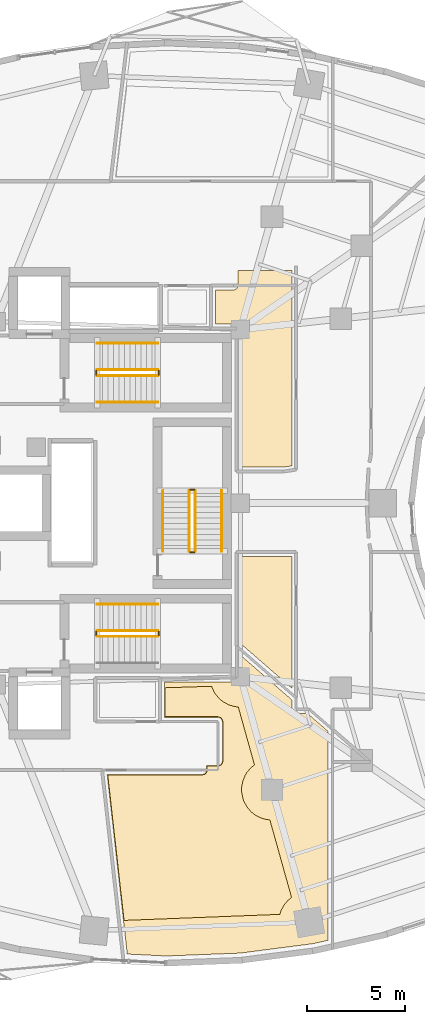
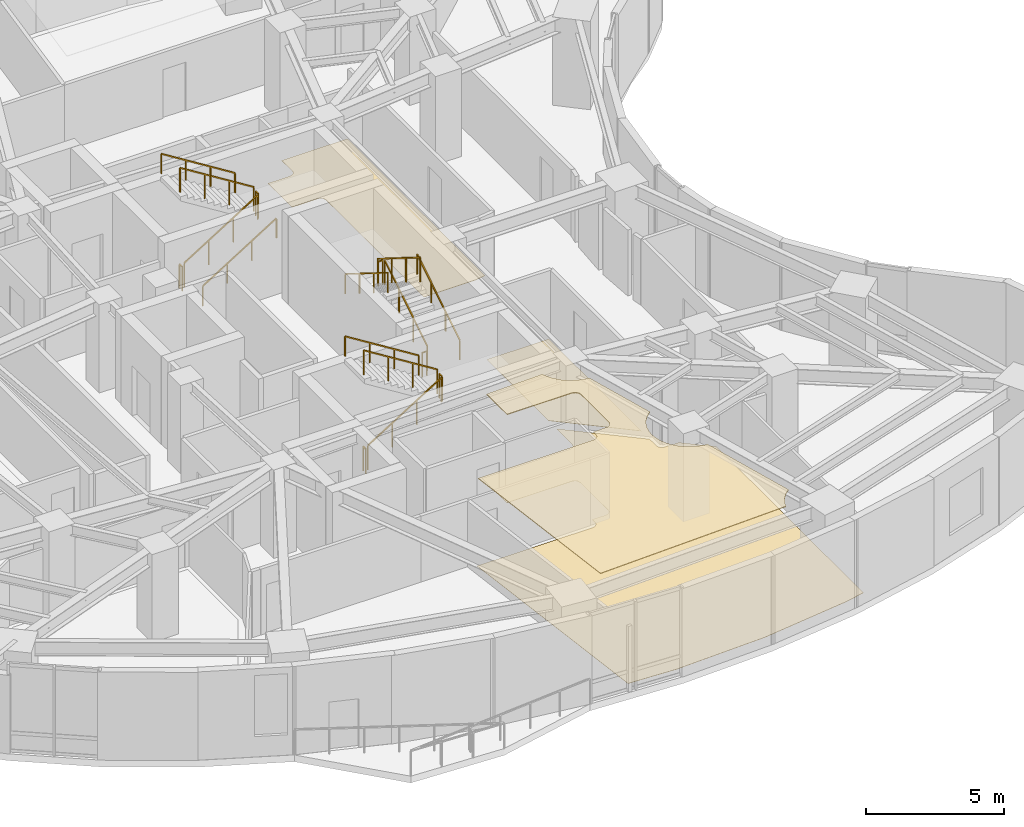
# One storey, part 14 of 15: 17 railings, 4 coverings.
"""IFC4 building model written with IfcOpenShell, lengths in metres."""

from ifc_helpers import new_model, si_unit, direction, frame, origin, origin_2d, place, context, subcontext, project, spatial, polyline, rectangle, outline, extrude, material, layer, layer_set, type_object, element, save


model = new_model("IFC4")

# Units and contexts
model_context = context("Model", 3, precision=1e-05, world=origin(), true_north=direction((0.0, 1.0)))
body_context = subcontext(model_context, "Body", "Model", "MODEL_VIEW")
ifc_project = project(units=[si_unit("LENGTHUNIT", "METRE"), si_unit("AREAUNIT", "SQUARE_METRE"), si_unit("VOLUMEUNIT", "CUBIC_METRE"), si_unit("PLANEANGLEUNIT", "RADIAN"), si_unit("MASSUNIT", "GRAM", prefix="KILO")], contexts=[model_context])

# Site, building, storey
site_placement = place(None, origin())
site = spatial("IfcSite", under=ifc_project, at=site_placement, CompositionType="ELEMENT")
building_placement = place(site_placement, origin())
building = spatial("IfcBuilding", under=site, at=building_placement, Name="Korentha Bioscience Tower", CompositionType="ELEMENT")
storey_placement = place(building_placement, frame((0.0, 0.0, 76.199951171875)))
storey = spatial("IfcBuildingStorey", under=building, at=storey_placement, Name="L17", CompositionType="ELEMENT", Elevation=76.199951171875)

# Railings
ifc_material_1 = material(Name="Stainless Steel 304", Category="steel")
railing_type_1 = type_object("IfcRailingType", Name="Brushed Stainless Stair Handrail 900", PredefinedType="HANDRAIL", material=ifc_material_1)
railing_1_placement = place(storey_placement, frame((30.25, 32.14990234375, 0.175048828125)))
element("IfcRailing", 1, at=railing_1_placement, inside=storey, type_object=railing_type_1, Name="L17 ST-1 stair handrail 1", PredefinedType="HANDRAIL", context=body_context, shape_type="SweptSolid", body=[
    extrude(rectangle(XDim=0.048095703125, YDim=0.048095703125, at=origin_2d()), frame((0.0, 0.0, 0.8759765625), z_axis=(0.847998304005, 0.0, 0.529998940003), x_axis=(0.0, 1.0, 0.0)), (0.0, 0.0, 1.0), 3.632080078125),
    extrude(rectangle(XDim=0.0419921875, YDim=0.0419921875, at=origin_2d()), origin(), (0.0, 0.0, 1.0), 0.851806640625),
    extrude(rectangle(XDim=0.0419921875, YDim=0.0419921875, at=origin_2d()), frame((1.026611328125, 0.0, 0.6416015625)), (0.0, 0.0, 1.0), 0.851806640625),
    extrude(rectangle(XDim=0.0419921875, YDim=0.0419921875, at=origin_2d()), frame((2.053466796875, 0.0, 1.283447265625)), (0.0, 0.0, 1.0), 0.851806640625),
    extrude(rectangle(XDim=0.0419921875, YDim=0.0419921875, at=origin_2d()), frame((3.080078125, 0.0, 1.925048828125)), (0.0, 0.0, 1.0), 0.851806640625),
])
for number, where, name in (
    (2, (33.330078125, 35.14990234375, 2.275146484375), "L17 ST-1 stair handrail 2"),
    (3, (33.330078125, 21.85009765625, 2.275146484375), "L17 ST-2 stair handrail 2"),
):
    element("IfcRailing", number, at=place(storey_placement, frame(where)), inside=storey, type_object=railing_type_1, Name=name, PredefinedType="HANDRAIL", context=body_context, shape_type="SweptSolid", body=[
        extrude(rectangle(XDim=0.048095703125, YDim=0.048095703125, at=origin_2d()), frame((0.0, 0.0, 0.8759765625), z_axis=(-0.848028513186, 0.0, 0.529950602248), x_axis=(0.0, -1.0, 0.0)), (0.0, 0.0, 1.0), 3.632080078125),
        extrude(rectangle(XDim=0.0419921875, YDim=0.0419921875, at=origin_2d()), origin(), (0.0, 0.0, 1.0), 0.851806640625),
        extrude(rectangle(XDim=0.0419921875, YDim=0.0419921875, at=origin_2d()), frame((-1.026611328125, 0.0, 0.6416015625)), (0.0, 0.0, 1.0), 0.851806640625),
        extrude(rectangle(XDim=0.0419921875, YDim=0.0419921875, at=origin_2d()), frame((-2.053466796875, 0.0, 1.283203125)), (0.0, 0.0, 1.0), 0.851806640625),
        extrude(rectangle(XDim=0.0419921875, YDim=0.0419921875, at=origin_2d()), frame((-3.080078125, 0.0, 1.9248046875)), (0.0, 0.0, 1.0), 0.851806640625),
    ])
railing_2_placement = place(storey_placement, frame((36.60009765625, 24.550048828125, 0.175048828125)))
element("IfcRailing", 4, at=railing_2_placement, inside=storey, type_object=railing_type_1, Name="L17 ST-3 stair handrail 1", PredefinedType="HANDRAIL", context=body_context, shape_type="SweptSolid", body=[
    extrude(rectangle(XDim=0.048095703125, YDim=0.048095703125, at=origin_2d()), frame((0.0, 0.0, 0.8759765625), z_axis=(0.0, 0.847979421464, 0.530029150871), x_axis=(-1.0, 0.0, 0.0)), (0.0, 0.0, 1.0), 3.632080078125),
    extrude(rectangle(XDim=0.0419921875, YDim=0.0419921875, at=origin_2d()), origin(), (0.0, 0.0, 1.0), 0.851806640625),
    extrude(rectangle(XDim=0.0419921875, YDim=0.0419921875, at=origin_2d()), frame((0.0, 1.026611328125, 0.6416015625)), (0.0, 0.0, 1.0), 0.851806640625),
    extrude(rectangle(XDim=0.0419921875, YDim=0.0419921875, at=origin_2d()), frame((0.0, 2.05322265625, 1.283447265625)), (0.0, 0.0, 1.0), 0.851806640625),
    extrude(rectangle(XDim=0.0419921875, YDim=0.0419921875, at=origin_2d()), frame((0.0, 3.079833984375, 1.925048828125)), (0.0, 0.0, 1.0), 0.851806640625),
])
railing_3_placement = place(storey_placement, frame((33.60009765625, 27.6298828125, 2.275146484375)))
element("IfcRailing", 5, at=railing_3_placement, inside=storey, type_object=railing_type_1, Name="L17 ST-3 stair handrail 2", PredefinedType="HANDRAIL", context=body_context, shape_type="SweptSolid", body=[
    extrude(rectangle(XDim=0.048095703125, YDim=0.048095703125, at=origin_2d()), frame((0.0, 0.0, 0.8759765625), z_axis=(0.0, -0.848009633417, 0.529980812513), x_axis=(1.0, 0.0, 0.0)), (0.0, 0.0, 1.0), 3.6318359375),
    extrude(rectangle(XDim=0.0419921875, YDim=0.0419921875, at=origin_2d()), origin(), (0.0, 0.0, 1.0), 0.851806640625),
    extrude(rectangle(XDim=0.0419921875, YDim=0.0419921875, at=origin_2d()), frame((0.0, -1.026611328125, 0.6416015625)), (0.0, 0.0, 1.0), 0.851806640625),
    extrude(rectangle(XDim=0.0419921875, YDim=0.0419921875, at=origin_2d()), frame((0.0, -2.05322265625, 1.283203125)), (0.0, 0.0, 1.0), 0.851806640625),
    extrude(rectangle(XDim=0.0419921875, YDim=0.0419921875, at=origin_2d()), frame((0.0, -3.079833984375, 1.9248046875)), (0.0, 0.0, 1.0), 0.851806640625),
])

# Covering
ifc_material_2 = material(Name="Antimicrobial Mineral Fibre Board", Category="gypsum")
ifc_layer_1 = layer(ifc_material_2, 0.034912109375, Name="Antimicrobial Mineral Fibre Board")
ifc_layer_set_1 = layer_set([ifc_layer_1], Name="Antimicrobial Mineral Fibre Board (CL-MF35)")
covering_type_1 = type_object("IfcCoveringType", Name="Mineral-Fibre Cleanroom Suspended Ceiling 35", PredefinedType="CEILING", material=ifc_layer_set_1)
covering_1_placement = place(storey_placement, frame((0.0, 0.0, 3.864990234375)))
element("IfcCovering", 6, at=covering_1_placement, inside=storey, type_object=covering_type_1, Name="L17 Senior Scientist Corner Office 05 Acoustic Ceiling", PredefinedType="CEILING", context=body_context, shape_type="SweptSolid", body=[
    extrude(outline(polyline([(35.6123046875, 13.140380859375), (35.734130859375, 13.17724609375), (35.8232421875, 13.266845703125), (35.857177734375, 13.3623046875), (35.860107421875, 13.590087890625), (36.462646484375, 13.59765625), (36.57421875, 13.656982421875), (36.64453125, 13.761962890625), (36.659912109375, 13.85009765625), (36.659912109375, 15.85009765625), (36.63525390625, 15.960693359375), (36.554443359375, 16.05908203125), (36.4130859375, 16.109619140625), (33.7099609375, 16.110107421875), (33.7099609375, 17.58642578125), (36.080078125, 17.66259765625), (36.18310546875, 17.419189453125), (36.26123046875, 17.288818359375), (36.4541015625, 17.053955078125), (36.566650390625, 16.951904296875), (36.68896484375, 16.861083984375), (36.956787109375, 16.718017578125), (37.24755859375, 16.6298828125), (37.4423828125, 16.605224609375), (38.267333984375, 13.65673828125), (38.065185546875, 13.48828125), (37.872314453125, 13.25341796875), (37.794189453125, 13.123046875), (37.677978515625, 12.84228515625), (37.61865234375, 12.544189453125), (37.611083984375, 12.392333984375), (37.61865234375, 12.240478515625), (37.677978515625, 11.9423828125), (37.729248046875, 11.799072265625), (37.872314453125, 11.53125), (38.065185546875, 11.29638671875), (38.177978515625, 11.194091796875), (38.300048828125, 11.103515625), (38.568115234375, 10.960205078125), (38.85888671875, 10.8720703125), (39.053466796875, 10.84765625), (40.15869140625, 6.897705078125), (39.95654296875, 6.729248046875), (39.763671875, 6.494384765625), (39.62060546875, 6.2265625), (39.556884765625, 6.034423828125), (31.619384765625, 5.72607421875), (30.787841796875, 13.139892578125), (35.6123046875, 13.140380859375)])), origin(), (0.0, 0.0, 1.0), 0.03515625),
])

# Railings
ifc_material_3 = material(Name="Painted Steel S275", Category="steel")
railing_type_2 = type_object("IfcRailingType", Name="Painted Steel Stair Well Guardrail 1100", PredefinedType="GUARDRAIL", material=ifc_material_3)
railing_4_placement = place(storey_placement, frame((30.25, 33.5, 0.175048828125)))
element("IfcRailing", 7, at=railing_4_placement, inside=storey, type_object=railing_type_2, Name="L17 ST-1 stair guard 1", PredefinedType="GUARDRAIL", context=body_context, shape_type="SweptSolid", body=[
    extrude(rectangle(XDim=0.048095703125, YDim=0.048095703125, at=origin_2d()), frame((0.0, 0.0, 1.076171875), z_axis=(0.847998304005, 0.0, 0.529998940003), x_axis=(0.0, 1.0, 0.0)), (0.0, 0.0, 1.0), 3.632080078125),
    extrude(rectangle(XDim=0.0419921875, YDim=0.0419921875, at=origin_2d()), origin(), (0.0, 0.0, 1.0), 1.052001953125),
    extrude(rectangle(XDim=0.0419921875, YDim=0.0419921875, at=origin_2d()), frame((1.026611328125, 0.0, 0.6416015625)), (0.0, 0.0, 1.0), 1.052001953125),
    extrude(rectangle(XDim=0.0419921875, YDim=0.0419921875, at=origin_2d()), frame((2.053466796875, 0.0, 1.283447265625)), (0.0, 0.0, 1.0), 1.052001953125),
    extrude(rectangle(XDim=0.0419921875, YDim=0.0419921875, at=origin_2d()), frame((3.080078125, 0.0, 1.925048828125)), (0.0, 0.0, 1.0), 1.052001953125),
])
railing_5_placement = place(storey_placement, frame((33.3798828125, 33.550048828125, 2.10009765625)))
element("IfcRailing", 8, at=railing_5_placement, inside=storey, type_object=railing_type_2, Name="L17 ST-1 stair guard 2", PredefinedType="GUARDRAIL", context=body_context, shape_type="SweptSolid", body=[
    extrude(rectangle(XDim=0.048095703125, YDim=0.048095703125, at=origin_2d()), frame((0.0, 0.0, 1.076171875), z_axis=(0.0, 1.0, 0.0), x_axis=(-1.0, 0.0, 0.0)), (0.0, 0.0, 1.0), 0.199951171875),
    extrude(rectangle(XDim=0.0419921875, YDim=0.0419921875, at=origin_2d()), origin(), (0.0, 0.0, 1.0), 1.052001953125),
    extrude(rectangle(XDim=0.0419921875, YDim=0.0419921875, at=origin_2d()), frame((0.0, 0.199951171875, 0.0)), (0.0, 0.0, 1.0), 1.052001953125),
])
railing_6_placement = place(storey_placement, frame((33.330078125, 33.800048828125, 2.275146484375)))
element("IfcRailing", 9, at=railing_6_placement, inside=storey, type_object=railing_type_2, Name="L17 ST-1 stair guard 3", PredefinedType="GUARDRAIL", context=body_context, shape_type="SweptSolid", body=[
    extrude(rectangle(XDim=0.048095703125, YDim=0.048095703125, at=origin_2d()), frame((0.0, 0.0, 1.076171875), z_axis=(-0.848028513186, 0.0, 0.529950602248), x_axis=(0.0, -1.0, 0.0)), (0.0, 0.0, 1.0), 3.632080078125),
    extrude(rectangle(XDim=0.0419921875, YDim=0.0419921875, at=origin_2d()), origin(), (0.0, 0.0, 1.0), 1.052001953125),
    extrude(rectangle(XDim=0.0419921875, YDim=0.0419921875, at=origin_2d()), frame((-1.026611328125, 0.0, 0.6416015625)), (0.0, 0.0, 1.0), 1.052001953125),
    extrude(rectangle(XDim=0.0419921875, YDim=0.0419921875, at=origin_2d()), frame((-2.053466796875, 0.0, 1.283203125)), (0.0, 0.0, 1.0), 1.052001953125),
    extrude(rectangle(XDim=0.0419921875, YDim=0.0419921875, at=origin_2d()), frame((-3.080078125, 0.0, 1.9248046875)), (0.0, 0.0, 1.0), 1.052001953125),
])
railing_7_placement = place(storey_placement, frame((30.199951171875, 33.550048828125, 0.0)))
element("IfcRailing", 10, at=railing_7_placement, inside=storey, type_object=railing_type_2, Name="L17 ST-1 stair guard 4", PredefinedType="GUARDRAIL", context=body_context, shape_type="SweptSolid", body=[
    extrude(rectangle(XDim=0.048095703125, YDim=0.048095703125, at=origin_2d()), frame((0.0, 0.0, 1.076171875), z_axis=(0.0, 1.0, 0.0), x_axis=(-1.0, 0.0, 0.0)), (0.0, 0.0, 1.0), 0.199951171875),
    extrude(rectangle(XDim=0.0419921875, YDim=0.0419921875, at=origin_2d()), origin(), (0.0, 0.0, 1.0), 1.052001953125),
    extrude(rectangle(XDim=0.0419921875, YDim=0.0419921875, at=origin_2d()), frame((0.0, 0.199951171875, 0.0)), (0.0, 0.0, 1.0), 1.052001953125),
])
railing_8_placement = place(storey_placement, frame((30.25, 20.199951171875, 0.175048828125)))
element("IfcRailing", 11, at=railing_8_placement, inside=storey, type_object=railing_type_2, Name="L17 ST-2 stair guard 1", PredefinedType="GUARDRAIL", context=body_context, shape_type="SweptSolid", body=[
    extrude(rectangle(XDim=0.048095703125, YDim=0.048095703125, at=origin_2d()), frame((0.0, 0.0, 1.076171875), z_axis=(0.847998304005, 0.0, 0.529998940003), x_axis=(0.0, 1.0, 0.0)), (0.0, 0.0, 1.0), 3.632080078125),
    extrude(rectangle(XDim=0.0419921875, YDim=0.0419921875, at=origin_2d()), origin(), (0.0, 0.0, 1.0), 1.052001953125),
    extrude(rectangle(XDim=0.0419921875, YDim=0.0419921875, at=origin_2d()), frame((1.026611328125, 0.0, 0.6416015625)), (0.0, 0.0, 1.0), 1.052001953125),
    extrude(rectangle(XDim=0.0419921875, YDim=0.0419921875, at=origin_2d()), frame((2.053466796875, 0.0, 1.283447265625)), (0.0, 0.0, 1.0), 1.052001953125),
    extrude(rectangle(XDim=0.0419921875, YDim=0.0419921875, at=origin_2d()), frame((3.080078125, 0.0, 1.925048828125)), (0.0, 0.0, 1.0), 1.052001953125),
])
railing_9_placement = place(storey_placement, frame((33.3798828125, 20.25, 2.10009765625)))
element("IfcRailing", 12, at=railing_9_placement, inside=storey, type_object=railing_type_2, Name="L17 ST-2 stair guard 2", PredefinedType="GUARDRAIL", context=body_context, shape_type="SweptSolid", body=[
    extrude(rectangle(XDim=0.048095703125, YDim=0.048095703125, at=origin_2d()), frame((0.0, 0.0, 1.076171875), z_axis=(0.0, 1.0, 0.0), x_axis=(-1.0, 0.0, 0.0)), (0.0, 0.0, 1.0), 0.199951171875),
    extrude(rectangle(XDim=0.0419921875, YDim=0.0419921875, at=origin_2d()), origin(), (0.0, 0.0, 1.0), 1.052001953125),
    extrude(rectangle(XDim=0.0419921875, YDim=0.0419921875, at=origin_2d()), frame((0.0, 0.199951171875, 0.0)), (0.0, 0.0, 1.0), 1.052001953125),
])
railing_10_placement = place(storey_placement, frame((33.330078125, 20.5, 2.275146484375)))
element("IfcRailing", 13, at=railing_10_placement, inside=storey, type_object=railing_type_2, Name="L17 ST-2 stair guard 3", PredefinedType="GUARDRAIL", context=body_context, shape_type="SweptSolid", body=[
    extrude(rectangle(XDim=0.048095703125, YDim=0.048095703125, at=origin_2d()), frame((0.0, 0.0, 1.076171875), z_axis=(-0.848028513186, 0.0, 0.529950602248), x_axis=(0.0, -1.0, 0.0)), (0.0, 0.0, 1.0), 3.632080078125),
    extrude(rectangle(XDim=0.0419921875, YDim=0.0419921875, at=origin_2d()), origin(), (0.0, 0.0, 1.0), 1.052001953125),
    extrude(rectangle(XDim=0.0419921875, YDim=0.0419921875, at=origin_2d()), frame((-1.026611328125, 0.0, 0.6416015625)), (0.0, 0.0, 1.0), 1.052001953125),
    extrude(rectangle(XDim=0.0419921875, YDim=0.0419921875, at=origin_2d()), frame((-2.053466796875, 0.0, 1.283203125)), (0.0, 0.0, 1.0), 1.052001953125),
    extrude(rectangle(XDim=0.0419921875, YDim=0.0419921875, at=origin_2d()), frame((-3.080078125, 0.0, 1.9248046875)), (0.0, 0.0, 1.0), 1.052001953125),
])
railing_11_placement = place(storey_placement, frame((30.199951171875, 20.25, 0.0)))
element("IfcRailing", 14, at=railing_11_placement, inside=storey, type_object=railing_type_2, Name="L17 ST-2 stair guard 4", PredefinedType="GUARDRAIL", context=body_context, shape_type="SweptSolid", body=[
    extrude(rectangle(XDim=0.048095703125, YDim=0.048095703125, at=origin_2d()), frame((0.0, 0.0, 1.076171875), z_axis=(0.0, 1.0, 0.0), x_axis=(-1.0, 0.0, 0.0)), (0.0, 0.0, 1.0), 0.199951171875),
    extrude(rectangle(XDim=0.0419921875, YDim=0.0419921875, at=origin_2d()), origin(), (0.0, 0.0, 1.0), 1.052001953125),
    extrude(rectangle(XDim=0.0419921875, YDim=0.0419921875, at=origin_2d()), frame((0.0, 0.199951171875, 0.0)), (0.0, 0.0, 1.0), 1.052001953125),
])
railing_12_placement = place(storey_placement, frame((35.25, 24.550048828125, 0.175048828125)))
element("IfcRailing", 15, at=railing_12_placement, inside=storey, type_object=railing_type_2, Name="L17 ST-3 stair guard 1", PredefinedType="GUARDRAIL", context=body_context, shape_type="SweptSolid", body=[
    extrude(rectangle(XDim=0.048095703125, YDim=0.048095703125, at=origin_2d()), frame((0.0, 0.0, 1.076171875), z_axis=(0.0, 0.847979421464, 0.530029150871), x_axis=(-1.0, 0.0, 0.0)), (0.0, 0.0, 1.0), 3.632080078125),
    extrude(rectangle(XDim=0.0419921875, YDim=0.0419921875, at=origin_2d()), origin(), (0.0, 0.0, 1.0), 1.052001953125),
    extrude(rectangle(XDim=0.0419921875, YDim=0.0419921875, at=origin_2d()), frame((0.0, 1.026611328125, 0.6416015625)), (0.0, 0.0, 1.0), 1.052001953125),
    extrude(rectangle(XDim=0.0419921875, YDim=0.0419921875, at=origin_2d()), frame((0.0, 2.05322265625, 1.283447265625)), (0.0, 0.0, 1.0), 1.052001953125),
    extrude(rectangle(XDim=0.0419921875, YDim=0.0419921875, at=origin_2d()), frame((0.0, 3.079833984375, 1.925048828125)), (0.0, 0.0, 1.0), 1.052001953125),
])
railing_13_placement = place(storey_placement, frame((35.199951171875, 27.679931640625, 2.10009765625)))
element("IfcRailing", 16, at=railing_13_placement, inside=storey, type_object=railing_type_2, Name="L17 ST-3 stair guard 2", PredefinedType="GUARDRAIL", context=body_context, shape_type="SweptSolid", body=[
    extrude(rectangle(XDim=0.048095703125, YDim=0.048095703125, at=origin_2d()), frame((0.0, 0.0, 1.076171875), z_axis=(-1.0, 0.0, 0.0), x_axis=(0.0, -1.0, 0.0)), (0.0, 0.0, 1.0), 0.199951171875),
    extrude(rectangle(XDim=0.0419921875, YDim=0.0419921875, at=origin_2d()), origin(), (0.0, 0.0, 1.0), 1.052001953125),
    extrude(rectangle(XDim=0.0419921875, YDim=0.0419921875, at=origin_2d()), frame((-0.199951171875, 0.0, 0.0)), (0.0, 0.0, 1.0), 1.052001953125),
])
railing_14_placement = place(storey_placement, frame((34.949951171875, 27.6298828125, 2.275146484375)))
element("IfcRailing", 17, at=railing_14_placement, inside=storey, type_object=railing_type_2, Name="L17 ST-3 stair guard 3", PredefinedType="GUARDRAIL", context=body_context, shape_type="SweptSolid", body=[
    extrude(rectangle(XDim=0.048095703125, YDim=0.048095703125, at=origin_2d()), frame((0.0, 0.0, 1.076171875), z_axis=(0.0, -0.848009633417, 0.529980812513), x_axis=(1.0, 0.0, 0.0)), (0.0, 0.0, 1.0), 3.6318359375),
    extrude(rectangle(XDim=0.0419921875, YDim=0.0419921875, at=origin_2d()), origin(), (0.0, 0.0, 1.0), 1.052001953125),
    extrude(rectangle(XDim=0.0419921875, YDim=0.0419921875, at=origin_2d()), frame((0.0, -1.026611328125, 0.6416015625)), (0.0, 0.0, 1.0), 1.052001953125),
    extrude(rectangle(XDim=0.0419921875, YDim=0.0419921875, at=origin_2d()), frame((0.0, -2.05322265625, 1.283203125)), (0.0, 0.0, 1.0), 1.052001953125),
    extrude(rectangle(XDim=0.0419921875, YDim=0.0419921875, at=origin_2d()), frame((0.0, -3.079833984375, 1.9248046875)), (0.0, 0.0, 1.0), 1.052001953125),
])
railing_15_placement = place(storey_placement, frame((35.199951171875, 24.5, 0.0)))
element("IfcRailing", 18, at=railing_15_placement, inside=storey, type_object=railing_type_2, Name="L17 ST-3 stair guard 4", PredefinedType="GUARDRAIL", context=body_context, shape_type="SweptSolid", body=[
    extrude(rectangle(XDim=0.048095703125, YDim=0.048095703125, at=origin_2d()), frame((0.0, 0.0, 1.076171875), z_axis=(-1.0, 0.0, 0.0), x_axis=(0.0, -1.0, 0.0)), (0.0, 0.0, 1.0), 0.199951171875),
    extrude(rectangle(XDim=0.0419921875, YDim=0.0419921875, at=origin_2d()), origin(), (0.0, 0.0, 1.0), 1.052001953125),
    extrude(rectangle(XDim=0.0419921875, YDim=0.0419921875, at=origin_2d()), frame((-0.199951171875, 0.0, 0.0)), (0.0, 0.0, 1.0), 1.052001953125),
])

# Coverings
ifc_material_4 = material(Name="Chemical-Resistant Epoxy Resin", Category="polymer")
ifc_layer_2 = layer(ifc_material_4, 0.011962890625, Name="Chemical-Resistant Epoxy Resin")
ifc_layer_set_2 = layer_set([ifc_layer_2], Name="Chemical-Resistant Epoxy Resin (FL-EPX)")
covering_type_2 = type_object("IfcCoveringType", Name="Seamless Epoxy Laboratory Flooring 12", PredefinedType="FLOORING", material=ifc_layer_set_2)
covering_2_placement = place(storey_placement, origin())
element("IfcCovering", 19, at=covering_2_placement, inside=storey, type_object=covering_type_2, Name="L17 Senior Scientist Corner Office 05 Floor Finish", PredefinedType="FLOORING", context=body_context, shape_type="SweptSolid", body=[
    extrude(outline(polyline([(30.75439453125, 13.169921875), (35.61181640625, 13.17041015625), (35.71875, 13.202880859375), (35.8076171875, 13.30126953125), (35.82958984375, 13.38818359375), (35.830078125, 13.6201171875), (36.411865234375, 13.620361328125), (36.497802734375, 13.641845703125), (36.55419921875, 13.67919921875), (36.608154296875, 13.752197265625), (36.6298828125, 13.85009765625), (36.6298828125, 15.85009765625), (36.5849609375, 15.986572265625), (36.517822265625, 16.047607421875), (36.410888671875, 16.07958984375), (33.679931640625, 16.080078125), (33.679931640625, 17.8701171875), (37.35009765625, 17.8701171875), (37.427001953125, 17.88330078125), (37.520751953125, 17.94580078125), (37.57763671875, 18.066650390625), (37.580078125, 19.224365234375), (40.169921875, 16.972900390625), (40.17236328125, 16.466796875), (40.1923828125, 16.401123046875), (40.245849609375, 16.329345703125), (40.302001953125, 16.2919921875), (40.38818359375, 16.270263671875), (40.978759765625, 16.27001953125), (42.02783203125, 15.35791015625), (42.028076171875, 4.714111328125), (41.2451171875, 4.538818359375), (37.526611328125, 4.057861328125), (33.75634765625, 3.9111328125), (31.78173828125, 4.0107421875), (30.75439453125, 13.169921875)])), origin(), (0.0, 0.0, 1.0), 0.011962890625),
])
covering_3_placement = place(storey_placement, origin())
element("IfcCovering", 20, at=covering_3_placement, inside=storey, type_object=covering_type_2, Name="L17 Daylight Break and Coffee Bar 07 Floor Finish", PredefinedType="FLOORING", context=body_context, shape_type="SweptSolid", body=[
    extrude(outline(polyline([(40.169921875, 17.569091796875), (37.58642578125, 19.815185546875), (37.580322265625, 24.278076171875), (40.169921875, 24.278076171875), (40.169921875, 17.569091796875)])), origin(), (0.0, 0.0, 1.0), 0.011962890625),
])
covering_4_placement = place(storey_placement, origin())
element("IfcCovering", 21, at=covering_4_placement, inside=storey, type_object=covering_type_2, Name="L17 Immunology Flow-Cytometry Laboratory 09 Floor Finish", PredefinedType="FLOORING", context=body_context, shape_type="SweptSolid", body=[
    extrude(outline(polyline([(37.580078125, 28.830078125), (37.57763671875, 35.933349609375), (37.52001953125, 36.0546875), (37.44873046875, 36.107666015625), (37.38427734375, 36.12744140625), (36.280029296875, 36.1298828125), (36.280029296875, 37.8701171875), (37.2119140625, 37.870361328125), (37.27783203125, 37.883544921875), (37.35400390625, 37.92919921875), (37.40771484375, 38.001220703125), (37.4296875, 38.088134765625), (37.429931640625, 38.8701171875), (40.169921875, 38.8701171875), (40.169921875, 28.897705078125), (39.716552734375, 28.830078125), (37.580078125, 28.830078125)])), origin(), (0.0, 0.0, 1.0), 0.011962890625),
])

save(model, "model.ifc")
